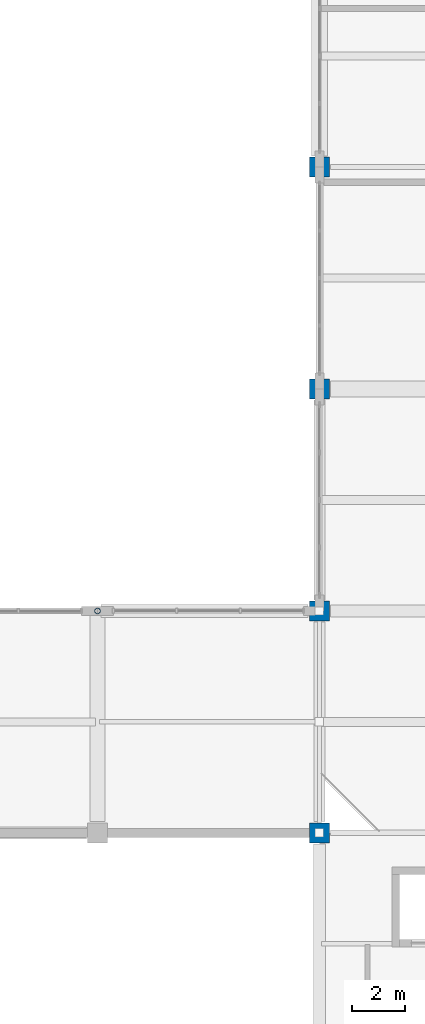
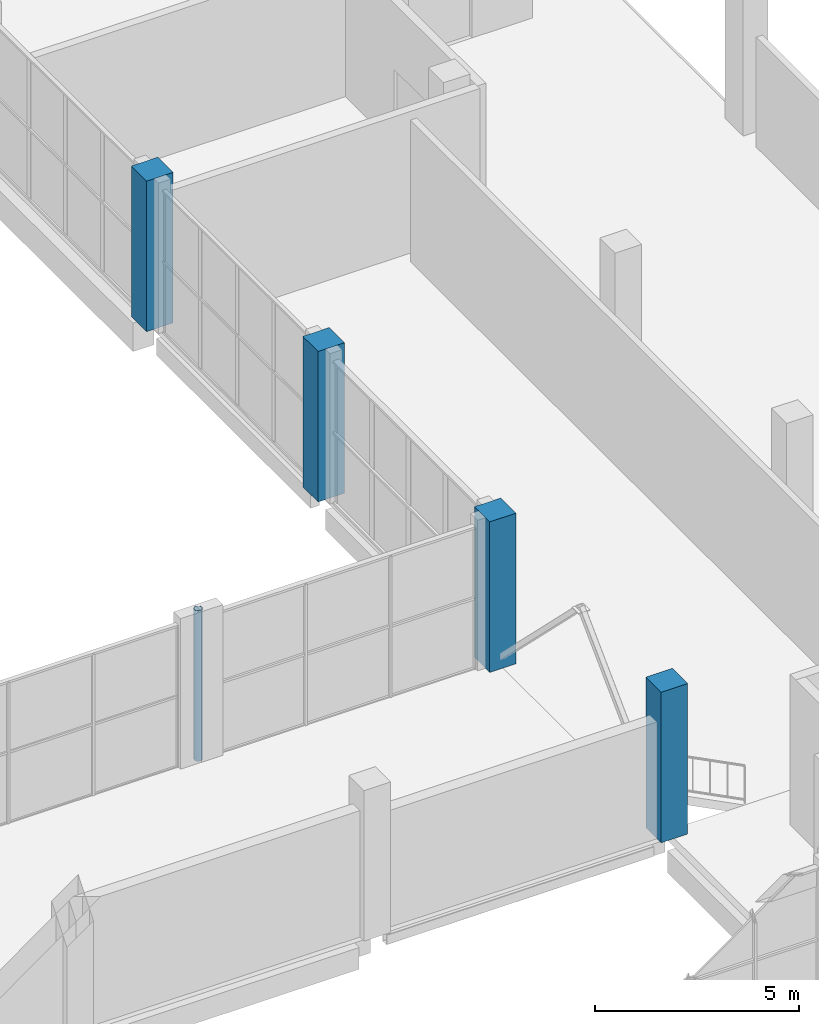
# One storey, part 8 of 75: 5 columns.
"""IFC4 building model written with IfcOpenShell, lengths in metres."""

import ifcopenshell
import ifcopenshell.guid

model = None  # the IFC model being written
_history = None  # IfcOwnerHistory: only IFC2X3 demands one
_inside = {}  # id of a spatial element -> (the spatial element, [elements in it])
_under = {}  # id of a project, library or spatial element -> (it, [spatial elements below it])
_declared = {}  # id of a project -> (the project, [libraries it declares])
_typed = {}  # id of a type object -> (the type object, [elements of that type])
_made_of = {}  # id of a material, layer set ... -> (it, [elements and type objects made of it])


def new_model(schema):
    """Start an empty IFC model of exactly this schema.

    Asked for "IFC4X3", IfcOpenShell would pick the latest addendum, in which some entities
    have other attributes; the version numbers below select the first issue.
    IFC2X3 requires an IfcOwnerHistory on every rooted entity: one is made here for all.
    """
    global model, _history
    if schema == "IFC4X3":
        model = ifcopenshell.file(schema_version=(4, 3, 0, 0))
    else:
        model = ifcopenshell.file(schema=schema)
    _inside.clear()
    _under.clear()
    _declared.clear()
    _typed.clear()
    _made_of.clear()
    _history = None
    if model.schema == "IFC2X3":
        org = make("IfcOrganization", Name="unknown")
        user = make(
            "IfcPersonAndOrganization",
            ThePerson=make("IfcPerson", FamilyName="unknown"),
            TheOrganization=org,
        )
        app = make(
            "IfcApplication",
            ApplicationDeveloper=org,
            Version="unknown",
            ApplicationFullName="unknown",
            ApplicationIdentifier="unknown",
        )
        _history = make(
            "IfcOwnerHistory",
            OwningUser=user,
            OwningApplication=app,
            ChangeAction="ADDED",
            CreationDate=0,
        )
    return model


def make(cls, **values):
    """One entity of the class cls with the attributes given. An attribute that is None is left unset."""
    return model.create_entity(
        cls, **{name: value for name, value in values.items() if value is not None}
    )


def rooted(cls, **values):
    """An entity with a GlobalId (a new one), such as an element, a storey or a relation."""
    return make(cls, GlobalId=ifcopenshell.guid.new(), OwnerHistory=_history, **values)


def si_unit(unit_type, name, prefix=None):
    """IfcSIUnit, for example si_unit("LENGTHUNIT", "METRE", prefix="MILLI")."""
    return make("IfcSIUnit", UnitType=unit_type, Prefix=prefix, Name=name)


def derived_unit(unit_type, elements):
    """IfcDerivedUnit: a product of units, each with its exponent."""
    return make(
        "IfcDerivedUnit",
        Elements=[
            make("IfcDerivedUnitElement", Unit=unit, Exponent=power)
            for unit, power in elements
        ],
        UnitType=unit_type,
    )


def assignment(units):
    """IfcUnitAssignment: the units of a project."""
    return None if units is None else make("IfcUnitAssignment", Units=units)


def point(xyz):
    """IfcCartesianPoint."""
    return None if xyz is None else make("IfcCartesianPoint", Coordinates=xyz)


def direction(xyz):
    """IfcDirection."""
    return None if xyz is None else make("IfcDirection", DirectionRatios=xyz)


def frame(location, z_axis=None, x_axis=None):
    """IfcAxis2Placement3D, a coordinate frame: its origin and axes. An axis left out is left unset."""
    return make(
        "IfcAxis2Placement3D",
        Location=point(location),
        Axis=direction(z_axis),
        RefDirection=direction(x_axis),
    )


def frame_2d(location, x_axis=None):
    """IfcAxis2Placement2D, a coordinate frame in the plane: its origin and x axis."""
    return make(
        "IfcAxis2Placement2D", Location=point(location), RefDirection=direction(x_axis)
    )


def origin():
    """The frame at (0, 0, 0) with its axes left unset."""
    return frame((0.0, 0.0, 0.0))


def origin_2d():
    """The frame at (0, 0) in the plane with its x axis left unset."""
    return frame_2d((0.0, 0.0))


def place(relative_to, where):
    """IfcLocalPlacement: puts the frame where relative to a parent placement (None: the world)."""
    return make(
        "IfcLocalPlacement", PlacementRelTo=relative_to, RelativePlacement=where
    )


def context(
    kind, dimensions, precision=None, world=None, true_north=None, identifier=None
):
    """IfcGeometricRepresentationContext, for example the 3D "Model" context."""
    return make(
        "IfcGeometricRepresentationContext",
        ContextIdentifier=identifier,
        ContextType=kind,
        CoordinateSpaceDimension=dimensions,
        Precision=precision,
        WorldCoordinateSystem=world,
        TrueNorth=true_north,
    )


def subcontext(parent, identifier, kind, view, scale=None):
    """IfcGeometricRepresentationSubContext, for example "Body" below "Model"."""
    return make(
        "IfcGeometricRepresentationSubContext",
        ContextIdentifier=identifier,
        ContextType=kind,
        ParentContext=parent,
        TargetScale=scale,
        TargetView=view,
    )


def project(units=None, contexts=None):
    """IfcProject with its units and contexts."""
    return rooted(
        "IfcProject",
        Name="project",
        RepresentationContexts=contexts,
        UnitsInContext=assignment(units),
    )


def spatial(cls, under=None, at=None, **own):
    """A site, building, storey or space (cls), placed at a placement, below another one or the project."""
    s = rooted(cls, ObjectPlacement=at, **own)
    if under is not None:
        _under.setdefault(under.id(), (under, []))[1].append(s)
    return s


def profile(cls, at=None, kind="AREA", **sizes):
    """A parametric profile (cls). Its sizes go by their IFC names, for example OverallWidth=200.0."""
    return make(cls, ProfileType=kind, Position=at, **sizes)


def rectangle(**sizes):
    """IfcRectangleProfileDef."""
    return profile("IfcRectangleProfileDef", **sizes)


def hollow_circle(**sizes):
    """IfcCircleHollowProfileDef."""
    return profile("IfcCircleHollowProfileDef", **sizes)


def extrude(swept, where, along, depth):
    """IfcExtrudedAreaSolid: the profile swept, set in the frame where, extruded along a direction by depth."""
    return make(
        "IfcExtrudedAreaSolid",
        SweptArea=swept,
        Position=where,
        ExtrudedDirection=direction(along),
        Depth=depth,
    )


def shape(context_of_items, identifier, shape_type, items):
    """IfcShapeRepresentation: the items that make up one representation, for example the "Body"."""
    return make(
        "IfcShapeRepresentation",
        ContextOfItems=context_of_items,
        RepresentationIdentifier=identifier,
        RepresentationType=shape_type,
        Items=items,
    )


def material(Name=None, Category=None):
    """IfcMaterial."""
    return make("IfcMaterial", Name=Name, Category=Category)


def material_profile(
    of_material, cross_section, Name=None, Category=None, Priority=None
):
    """IfcMaterialProfile: a cross section and its material."""
    return make(
        "IfcMaterialProfile",
        Name=Name,
        Material=of_material,
        Profile=cross_section,
        Priority=Priority,
        Category=Category,
    )


def profile_set(profiles, Name=None, composite=None):
    """IfcMaterialProfileSet."""
    return make(
        "IfcMaterialProfileSet",
        Name=Name,
        MaterialProfiles=profiles,
        CompositeProfile=composite,
    )


def made_of(thing, what):
    """Note that an element or type object is made of a material, layer set ...; save() writes the relation."""
    if what is not None:
        _made_of.setdefault(what.id(), (what, []))[1].append(thing)
    return thing


def type_object(cls, material=None, **own):
    """A type object (cls), such as IfcWallType, which elements share."""
    return made_of(rooted(cls, **own), material)


def element(
    cls,
    number,
    at=None,
    inside=None,
    cuts=None,
    type_object=None,
    material=None,
    context=None,
    identifier="Body",
    shape_type=None,
    held_by="IfcProductDefinitionShape",
    body=None,
    shapes=None,
    **own,
):
    """One element of the class cls, such as IfcWall. Its Tag is "e" and its number.

    at: its placement. inside: the storey or other place that contains it. cuts: it is an
    opening in that element (IfcRelVoidsElement). A single representation is given by context,
    identifier, shape_type and body (its items); several are given by shapes. held_by: the class
    of the entity that holds the representations. save() writes the other relations.
    """
    e = rooted(cls, Tag="e%d" % number, ObjectPlacement=at, **own)
    if body is not None:
        shapes = [shape(context, identifier, shape_type, body)]
    if shapes is not None:
        e.Representation = make(held_by, Representations=shapes)
    if inside is not None:
        _inside.setdefault(inside.id(), (inside, []))[1].append(e)
    if cuts is not None:
        rooted(
            "IfcRelVoidsElement", RelatingBuildingElement=cuts, RelatedOpeningElement=e
        )
    if type_object is not None:
        _typed.setdefault(type_object.id(), (type_object, []))[1].append(e)
    return made_of(e, material)


def aggregate(whole, parts):
    """IfcRelAggregates: a whole, such as a stair, and the parts it consists of."""
    return rooted("IfcRelAggregates", RelatingObject=whole, RelatedObjects=parts)


def save(model, path):
    """Write the relations noted so far, then the file.

    IfcRelAggregates (storeys below a building ...), IfcRelContainedInSpatialStructure (elements
    in a storey), IfcRelDefinesByType, IfcRelAssociatesMaterial and IfcRelDeclares: one each for
    every whole, place, type object, material and project.
    """
    for whole, parts in _under.values():
        aggregate(whole, parts)
    for where, things in _inside.values():
        rooted(
            "IfcRelContainedInSpatialStructure",
            RelatedElements=things,
            RelatingStructure=where,
        )
    for kind, things in _typed.values():
        rooted("IfcRelDefinesByType", RelatedObjects=things, RelatingType=kind)
    for what, things in _made_of.values():
        rooted("IfcRelAssociatesMaterial", RelatedObjects=things, RelatingMaterial=what)
    for by, libraries in _declared.values():
        rooted("IfcRelDeclares", RelatingContext=by, RelatedDefinitions=libraries)
    model.write(path)


model = new_model("IFC4")

# Units and contexts
model_context = context("Model", 3, precision=1e-05, world=origin(), true_north=direction((0.0, 1.0)))
body_context = subcontext(model_context, "Body", "Model", "MODEL_VIEW")
ifc_project = project(units=[si_unit("LENGTHUNIT", "METRE"), si_unit("AREAUNIT", "SQUARE_METRE"), si_unit("VOLUMEUNIT", "CUBIC_METRE"), si_unit("PLANEANGLEUNIT", "RADIAN"), si_unit("MASSUNIT", "GRAM", prefix="KILO"), derived_unit("THERMALTRANSMITTANCEUNIT", [(si_unit("POWERUNIT", "WATT"), 1), (si_unit("LENGTHUNIT", "METRE"), -2), (si_unit("THERMODYNAMICTEMPERATUREUNIT", "KELVIN"), -1)])], contexts=[model_context])

# Site, building, storey
site_placement = place(None, origin())
site = spatial("IfcSite", under=ifc_project, at=site_placement, CompositionType="ELEMENT")
building_placement = place(site_placement, origin())
building = spatial("IfcBuilding", under=site, at=building_placement, Name="Barrovel Congress Hotel", CompositionType="ELEMENT")
storey_placement = place(building_placement, frame((0.0, 0.0, 5.39990234375)))
storey = spatial("IfcBuildingStorey", under=building, at=storey_placement, Name="L01", CompositionType="ELEMENT", Elevation=5.39990234375)

# Columns
ifc_material_1 = material(Name="Concrete C40", Category="concrete")
ifc_material_profile_1 = material_profile(ifc_material_1, rectangle(XDim=0.75, YDim=0.75, at=origin_2d()), Name="RC750x750")
ifc_profile_set_1 = profile_set([ifc_material_profile_1], Name="Concrete C40")
column_type_1 = type_object("IfcColumnType", Name="COL-RC750x750", PredefinedType="COLUMN", material=ifc_profile_set_1)
for number, where, z_axis, x_axis, name in (
    (1, (126.0, 37.800048828125, 0.0), (0.0, 0.0, 1.0), (1.0, 0.0, 0.0), "COL:L01:126.0:37.8"),
    (2, (126.0, 46.199951171875, 0.0), (0.0, 0.0, 1.0), (1.0, 0.0, 0.0), "COL:L01:126.0:46.2"),
    (3, (126.0, 54.60009765625, 0.0), (0.0, 0.0, 1.0), (1.0, 0.0, 0.0), "COL:L01:126.0:54.6"),
    (4, (126.0, 63.0, 0.0), (0.0, 0.0, 1.0), (1.0, 0.0, 0.0), "COL:L01:126.0:63.0"),
):
    element("IfcColumn", number, at=place(storey_placement, frame(where, z_axis=z_axis, x_axis=x_axis)), inside=storey, type_object=column_type_1, Name=name, PredefinedType="COLUMN", context=body_context, shape_type="SweptSolid", body=[
        extrude(rectangle(XDim=0.75, YDim=0.75, at=origin_2d()), origin(), (0.0, 0.0, 1.0), 4.5),
    ])
ifc_material_2 = material(Name="Steel ASTM A500 Grade C", Category="steel")
ifc_material_profile_2 = material_profile(ifc_material_2, hollow_circle(Radius=0.109619140625, WallThickness=0.0087890625, at=origin_2d()), Name="CHS219.1x9.5")
ifc_profile_set_2 = profile_set([ifc_material_profile_2], Name="Steel ASTM A500 Grade C")
column_type_2 = type_object("IfcColumnType", Name="SCOL-CHS219.1x9.5", PredefinedType="COLUMN", material=ifc_profile_set_2)
column_placement = place(storey_placement, frame((117.60009765625, 46.199951171875, 0.0), z_axis=(0.0, 0.0, 1.0), x_axis=(1.0, 0.0, 0.0)))
element("IfcColumn", 5, at=column_placement, inside=storey, type_object=column_type_2, Name="COL:L01:117.6:46.2", PredefinedType="COLUMN", context=body_context, shape_type="SweptSolid", body=[
    extrude(hollow_circle(Radius=0.109619140625, WallThickness=0.0087890625, at=origin_2d()), origin(), (0.0, 0.0, 1.0), 4.5),
])

save(model, "model.ifc")
